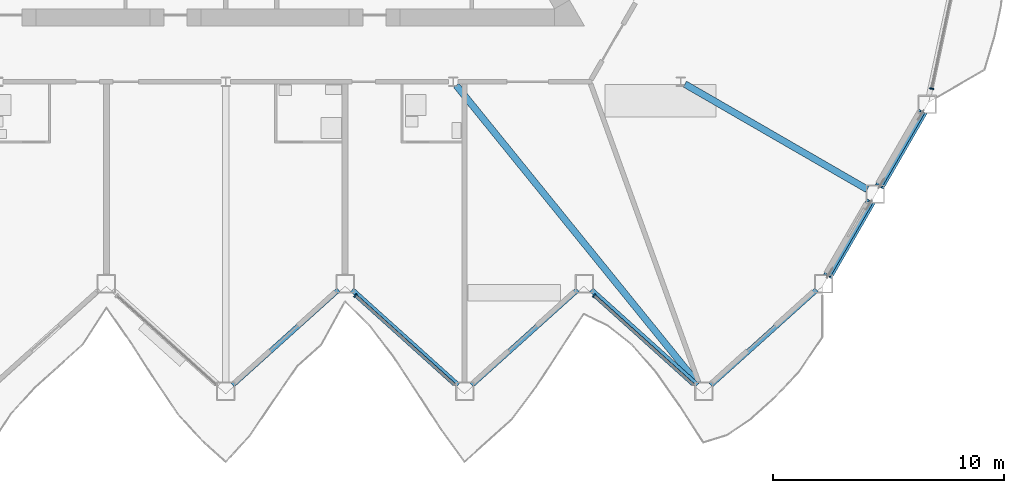
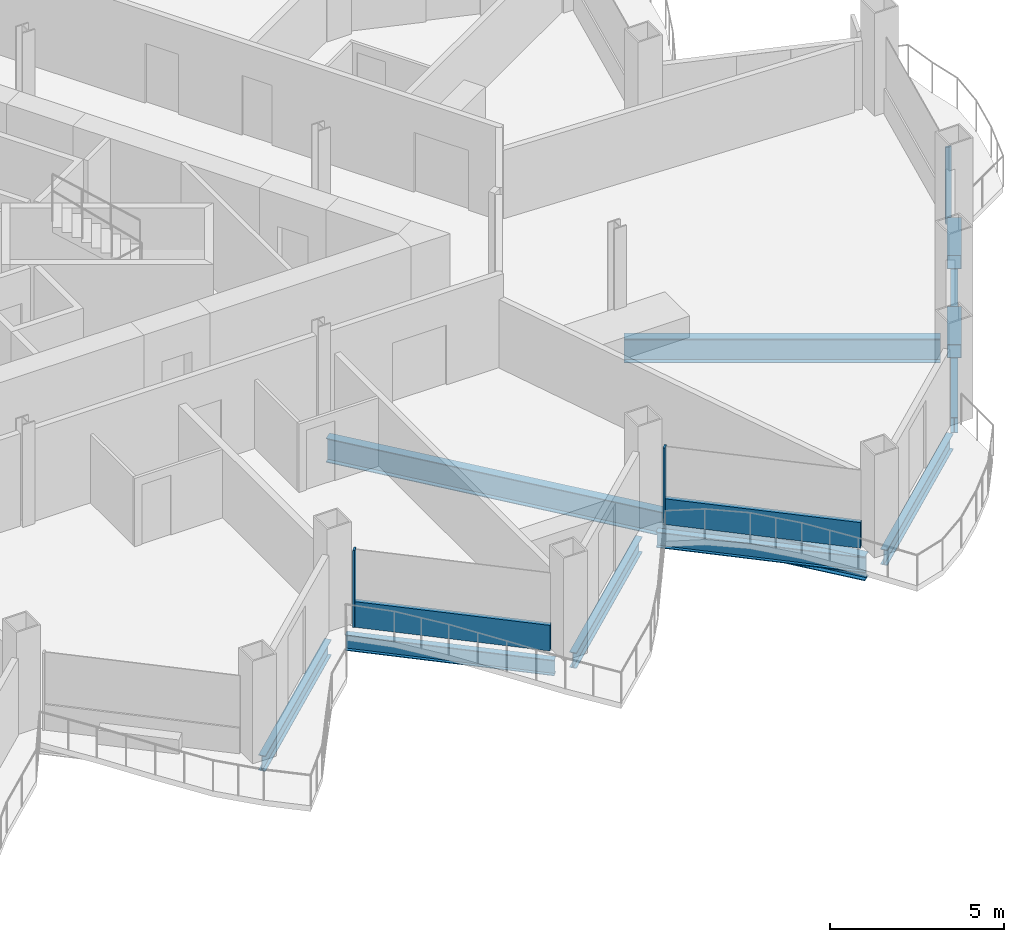
# One storey, part 6 of 23: 9 beams, 7 members, 3 elements without a shape of their own.
"""IFC4 building model written with IfcOpenShell, lengths in metres."""

from ifc_helpers import new_model, si_unit, direction, frame, origin, origin_2d, place, context, subcontext, project, spatial, rectangle, hollow_rectangle, i_section, extrude, material, layer, layer_set, material_profile, profile_set, type_object, element, aggregate, save


model = new_model("IFC4")

# Units and contexts
model_context = context("Model", 3, precision=1e-05, world=origin(), true_north=direction((0.0, 1.0)))
body_context = subcontext(model_context, "Body", "Model", "MODEL_VIEW")
ifc_project = project(units=[si_unit("LENGTHUNIT", "METRE"), si_unit("AREAUNIT", "SQUARE_METRE"), si_unit("VOLUMEUNIT", "CUBIC_METRE"), si_unit("PLANEANGLEUNIT", "RADIAN"), si_unit("MASSUNIT", "GRAM", prefix="KILO")], contexts=[model_context])

# Site, building, storey
site_placement = place(None, origin())
site = spatial("IfcSite", under=ifc_project, at=site_placement, CompositionType="ELEMENT")
building_placement = place(site_placement, origin())
building = spatial("IfcBuilding", under=site, at=building_placement, Name="Cormorant Prow Tower", CompositionType="ELEMENT")
storey_placement = place(building_placement, frame((0.0, 0.0, 212.39990234375)))
storey = spatial("IfcBuildingStorey", under=building, at=storey_placement, Name="L47", CompositionType="ELEMENT", Elevation=212.39990234375)

# Members
ifc_material_1 = material(Name="Structural steel ASTM A500 Gr C", Category="steel")
ifc_material_profile_1 = material_profile(ifc_material_1, hollow_rectangle(XDim=0.406494140625, YDim=0.406494140625, WallThickness=0.01171875, at=origin_2d()), Name="HSS16x16x1/2")
ifc_profile_set_1 = profile_set([ifc_material_profile_1], Name="Structural steel ASTM A500 Gr C")
member_type_1 = type_object("IfcMemberType", Name="Chamfer brace HSS16x16x1/2", PredefinedType="BRACE", material=ifc_profile_set_1)
member_1_placement = place(storey_placement, frame((27.850341796875, -16.56103515625, 0.740234375), z_axis=(-0.474017648602, -0.820985582338, 0.318260808783), x_axis=(0.866015628144, -0.500016931523, 0.0)))
element("IfcMember", 1, at=member_1_placement, inside=storey, type_object=member_type_1, Name="Chamfer brace BR2 at ESE00 L47", PredefinedType="BRACE", context=body_context, shape_type="SweptSolid", body=[
    extrude(hollow_rectangle(XDim=0.406494140625, YDim=0.406494140625, WallThickness=0.01171875, at=origin_2d()), origin(), (0.0, 0.0, 1.0), 3.83544921875),
])
member_2_placement = place(storey_placement, frame((30.08544921875, -12.689453125, 0.740234375), z_axis=(-0.473992878603, -0.821006330213, 0.318244177926), x_axis=(0.866032413668, -0.499987858329, 0.0)))
element("IfcMember", 2, at=member_2_placement, inside=storey, type_object=member_type_1, Name="Chamfer brace BR2 at ESE01 L47", PredefinedType="BRACE", context=body_context, shape_type="SweptSolid", body=[
    extrude(hollow_rectangle(XDim=0.406494140625, YDim=0.406494140625, WallThickness=0.01171875, at=origin_2d()), origin(), (0.0, 0.0, 1.0), 3.835693359375),
])

# Curtain wall, member
ifc_material_2 = material(Name="Aluminium 6063-T6", Category="aluminium")
ifc_layer = layer(ifc_material_2, 0.179931640625)
ifc_layer_set = layer_set([ifc_layer], Name="Aluminium 6063-T6")
curtain_wall_type = type_object("IfcCurtainWallType", Name="Hotel unitised curtain wall 180", PredefinedType="NOTDEFINED", material=ifc_layer_set)
curtain_wall_1_placement = place(storey_placement, origin())
curtain_wall_1 = element("IfcCurtainWall", 3, at=curtain_wall_1_placement, inside=storey, type_object=curtain_wall_type, Name="Hotel curtain wall S06", PredefinedType="NOTDEFINED")
ifc_material_3 = material(Name="Aluminium 6063-T6", Category="aluminium")
ifc_material_profile_2 = material_profile(ifc_material_3, rectangle(XDim=0.179931640625, YDim=0.06005859375, at=origin_2d()), Name="Hotel mullion 60x180")
ifc_profile_set_2 = profile_set([ifc_material_profile_2], Name="Aluminium 6063-T6")
member_type_2 = type_object("IfcMemberType", Name="Hotel mullion 60x180", PredefinedType="MULLION", material=ifc_profile_set_2)
member_3_placement = place(storey_placement, frame((5.60009765625, -20.5849609375, 0.0), z_axis=(0.0, 0.0, 1.0), x_axis=(0.669130701561, 0.743144739757, 0.0)))
member_3 = element("IfcMember", 4, at=member_3_placement, type_object=member_type_2, Name="Hotel mullion S06", PredefinedType="MULLION", context=body_context, shape_type="SweptSolid", body=[
    extrude(rectangle(XDim=0.179931640625, YDim=0.06005859375, at=origin_2d()), origin(), (0.0, 0.0, 1.0), 2.700927734375),
])

curtain_wall_2_placement = place(storey_placement, origin())
curtain_wall_2 = element("IfcCurtainWall", 5, at=curtain_wall_2_placement, inside=storey, type_object=curtain_wall_type, Name="Hotel curtain wall S08", PredefinedType="NOTDEFINED")
member_4_placement = place(storey_placement, frame((15.911376953125, -20.5849609375, 0.0), z_axis=(0.0, 0.0, 1.0), x_axis=(0.669130629874, 0.743144804304, 0.0)))
member_4 = element("IfcMember", 6, at=member_4_placement, type_object=member_type_2, Name="Hotel mullion S08", PredefinedType="MULLION", context=body_context, shape_type="SweptSolid", body=[
    extrude(rectangle(XDim=0.179931640625, YDim=0.06005859375, at=origin_2d()), origin(), (0.0, 0.0, 1.0), 2.700927734375),
])

curtain_wall_3_placement = place(storey_placement, origin())
curtain_wall_3 = element("IfcCurtainWall", 7, at=curtain_wall_3_placement, inside=storey, type_object=curtain_wall_type, Name="Hotel curtain wall ENE00", PredefinedType="NOTDEFINED")
member_5_placement = place(storey_placement, frame((30.494140625, -11.647216796875, 0.0), z_axis=(0.0, 0.0, 1.0), x_axis=(-0.978147596387, 0.20791171127, 0.0)))
member_5 = element("IfcMember", 8, at=member_5_placement, type_object=member_type_2, Name="Hotel mullion ENE00", PredefinedType="MULLION", context=body_context, shape_type="SweptSolid", body=[
    extrude(rectangle(XDim=0.179931640625, YDim=0.06005859375, at=origin_2d()), origin(), (0.0, 0.0, 1.0), 2.700927734375),
])
aggregate(curtain_wall_3, [member_5])

# Member
ifc_material_4 = material(Name="Terracotta", Category="masonry")
ifc_material_profile_3 = material_profile(ifc_material_4, rectangle(XDim=0.139892578125, YDim=0.89990234375, at=origin_2d()), Name="Hotel terracotta spandrel rail 140x900")
ifc_profile_set_3 = profile_set([ifc_material_profile_3], Name="Terracotta")
member_type_3 = type_object("IfcMemberType", Name="Hotel terracotta spandrel rail 140x900", PredefinedType="USERDEFINED", material=ifc_profile_set_3)
member_6_placement = place(storey_placement, frame((5.622314453125, -20.605224609375, 0.4501953125), z_axis=(0.743152468753, -0.669122117543, 0.0), x_axis=(0.669122117543, 0.743152468753, 0.0)))
member_6 = element("IfcMember", 9, at=member_6_placement, type_object=member_type_3, Name="Hotel spandrel rail S06", ObjectType="TRANSOM", PredefinedType="USERDEFINED", context=body_context, shape_type="SweptSolid", body=[
    extrude(rectangle(XDim=0.139892578125, YDim=0.89990234375, at=origin_2d()), origin(), (0.0, 0.0, 1.0), 5.741455078125),
])

aggregate(curtain_wall_1, [member_3, member_6])

member_7_placement = place(storey_placement, frame((15.93359375, -20.605224609375, 0.4501953125), z_axis=(0.743152468753, -0.669122117543, 0.0), x_axis=(0.669122117543, 0.743152468753, 0.0)))
member_7 = element("IfcMember", 10, at=member_7_placement, type_object=member_type_3, Name="Hotel spandrel rail S08", ObjectType="TRANSOM", PredefinedType="USERDEFINED", context=body_context, shape_type="SweptSolid", body=[
    extrude(rectangle(XDim=0.139892578125, YDim=0.89990234375, at=origin_2d()), origin(), (0.0, 0.0, 1.0), 5.741455078125),
])

aggregate(curtain_wall_2, [member_4, member_7])

# Beams
ifc_material_5 = material(Name="Structural steel ASTM A992 Gr 50", Category="steel")
ifc_material_profile_4 = material_profile(ifc_material_5, i_section(OverallWidth=0.29296875, OverallDepth=0.845703125, WebThickness=0.015380859375, FlangeThickness=0.0244140625, at=origin_2d()), Name="W33x141")
ifc_profile_set_4 = profile_set([ifc_material_profile_4], Name="Structural steel ASTM A992 Gr 50")
beam_type_1 = type_object("IfcBeamType", Name="Radial floor beam W33x141", PredefinedType="BEAM", material=ifc_profile_set_4)
beam_1_placement = place(storey_placement, frame((9.95654296875, -11.50732421875, -0.772705078125), z_axis=(0.629385162657, -0.777093505974, 0.0), x_axis=(0.777093505974, 0.629385162657, 0.0)))
element("IfcBeam", 11, at=beam_1_placement, inside=storey, type_object=beam_type_1, Name="Radial floor beam FB2 8 L47", PredefinedType="BEAM", context=body_context, shape_type="SweptSolid", body=[
    extrude(i_section(OverallWidth=0.29296875, OverallDepth=0.845703125, WebThickness=0.015380859375, FlangeThickness=0.0244140625, at=origin_2d()), origin(), (0.0, 0.0, 1.0), 16.6044921875),
])
beam_2_placement = place(storey_placement, frame((19.833251953125, -11.45068359375, -0.772705078125), z_axis=(0.866023373109, -0.500003517217, 0.0), x_axis=(0.500003517217, 0.866023373109, 0.0)))
element("IfcBeam", 12, at=beam_2_placement, inside=storey, type_object=beam_type_1, Name="Radial floor beam FB2 9 L47", PredefinedType="BEAM", context=body_context, shape_type="SweptSolid", body=[
    extrude(i_section(OverallWidth=0.29296875, OverallDepth=0.845703125, WebThickness=0.015380859375, FlangeThickness=0.0244140625, at=origin_2d()), origin(), (0.0, 0.0, 1.0), 9.09814453125),
])
ifc_material_6 = material(Name="Structural steel ASTM A992 Gr 50", Category="steel")
ifc_material_profile_5 = material_profile(ifc_material_6, i_section(OverallWidth=0.2138671875, OverallDepth=0.549072265625, WebThickness=0.0146484375, FlangeThickness=0.023681640625, at=origin_2d()), Name="W21x93")
ifc_profile_set_5 = profile_set([ifc_material_profile_5], Name="Structural steel ASTM A992 Gr 50")
beam_type_2 = type_object("IfcBeamType", Name="Spandrel beam W21x93", PredefinedType="SPANDREL", material=ifc_profile_set_5)
beam_3_placement = place(storey_placement, frame((0.29736328125, -24.453857421875, -0.62451171875), z_axis=(0.743138178716, 0.669137988261, 0.0), x_axis=(-0.669137988261, 0.743138178716, 0.0)))
element("IfcBeam", 13, at=beam_3_placement, inside=storey, type_object=beam_type_2, Name="Spandrel beam SB2 S05-S06 L47", PredefinedType="SPANDREL", context=body_context, shape_type="SweptSolid", body=[
    extrude(i_section(OverallWidth=0.2138671875, OverallDepth=0.549072265625, WebThickness=0.0146484375, FlangeThickness=0.023681640625, at=origin_2d()), origin(), (0.0, 0.0, 1.0), 6.149658203125),
])
beam_4_placement = place(storey_placement, frame((5.4619140625, -20.3388671875, -0.62451171875), z_axis=(0.743155953285, -0.669118247469, 0.0), x_axis=(0.669118247469, 0.743155953285, 0.0)))
element("IfcBeam", 14, at=beam_4_placement, inside=storey, type_object=beam_type_2, Name="Spandrel beam SB2 S06-S07 L47", PredefinedType="SPANDREL", context=body_context, shape_type="SweptSolid", body=[
    extrude(i_section(OverallWidth=0.2138671875, OverallDepth=0.549072265625, WebThickness=0.0146484375, FlangeThickness=0.023681640625, at=origin_2d()), origin(), (0.0, 0.0, 1.0), 6.14990234375),
])
for number, where, z_axis, x_axis, name in (
    (15, (10.626708984375, -24.453857421875, -0.62451171875), (0.743138178716, 0.669137988261, 0.0), (-0.669137988261, 0.743138178716, 0.0), "Spandrel beam SB2 S07-S08 L47"),
    (16, (15.79150390625, -20.3388671875, -0.62451171875), (0.743138178716, -0.669137988261, 0.0), (0.669137988261, 0.743138178716, 0.0), "Spandrel beam SB2 S08-S09 L47"),
):
    element("IfcBeam", number, at=place(storey_placement, frame(where, z_axis=z_axis, x_axis=x_axis)), inside=storey, type_object=beam_type_2, Name=name, PredefinedType="SPANDREL", context=body_context, shape_type="SweptSolid", body=[
        extrude(i_section(OverallWidth=0.2138671875, OverallDepth=0.549072265625, WebThickness=0.0146484375, FlangeThickness=0.023681640625, at=origin_2d()), origin(), (0.0, 0.0, 1.0), 6.149658203125),
    ])
beam_5_placement = place(storey_placement, frame((20.9560546875, -24.453857421875, -0.62451171875), z_axis=(0.743155953285, 0.669118247469, 0.0), x_axis=(-0.669118247469, 0.743155953285, 0.0)))
element("IfcBeam", 17, at=beam_5_placement, inside=storey, type_object=beam_type_2, Name="Spandrel beam SB2 S09-ESE00 L47", PredefinedType="SPANDREL", context=body_context, shape_type="SweptSolid", body=[
    extrude(i_section(OverallWidth=0.2138671875, OverallDepth=0.549072265625, WebThickness=0.0146484375, FlangeThickness=0.023681640625, at=origin_2d()), origin(), (0.0, 0.0, 1.0), 6.14990234375),
])
for number, where, z_axis, x_axis, name in (
    (18, (26.023681640625, -19.724853515625, -0.62451171875), (0.499994986164, 0.866028298505, 0.0), (-0.866028298505, 0.499994986164, 0.0), "Spandrel beam SB2 ESE00-ESE01 L47"),
    (19, (28.2587890625, -15.853271484375, -0.62451171875), (0.499994986164, 0.866028298505, 0.0), (-0.866028298505, 0.499994986164, 0.0), "Spandrel beam SB2 ESE01-ENE00 L47"),
):
    element("IfcBeam", number, at=place(storey_placement, frame(where, z_axis=z_axis, x_axis=x_axis)), inside=storey, type_object=beam_type_2, Name=name, PredefinedType="SPANDREL", context=body_context, shape_type="SweptSolid", body=[
        extrude(i_section(OverallWidth=0.2138671875, OverallDepth=0.549072265625, WebThickness=0.0146484375, FlangeThickness=0.023681640625, at=origin_2d()), origin(), (0.0, 0.0, 1.0), 3.67041015625),
    ])

save(model, "model.ifc")
